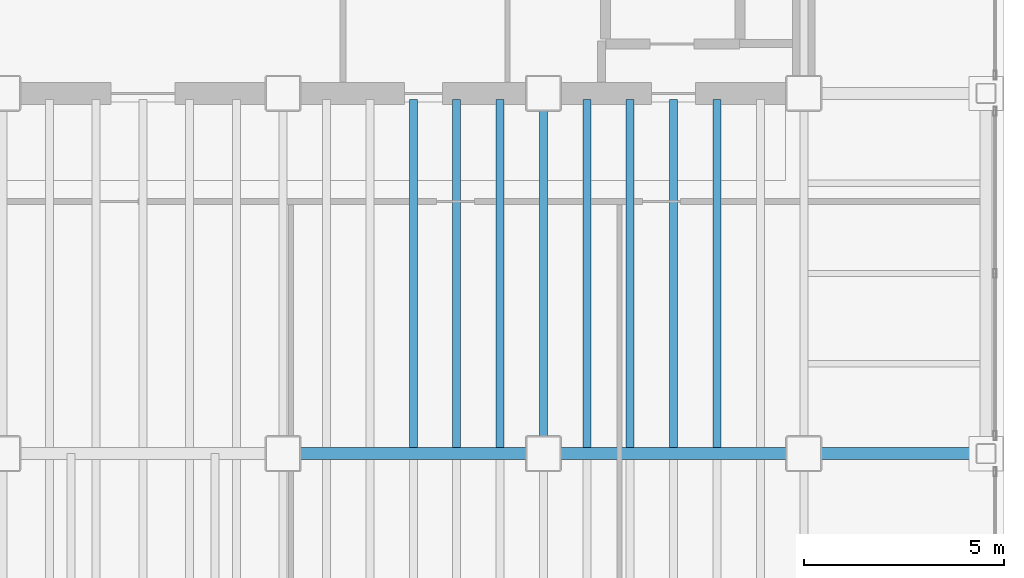
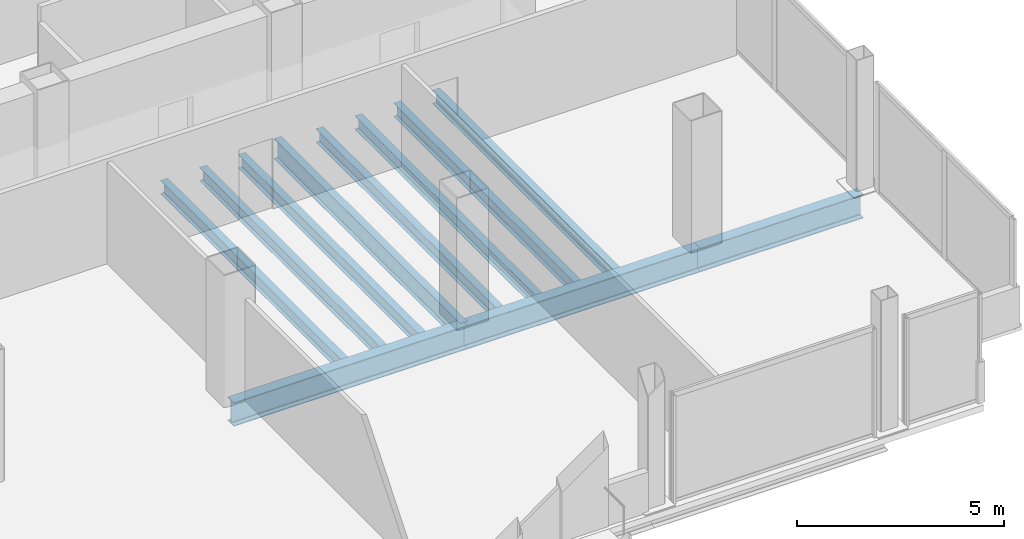
# One storey, part 14 of 20: 11 beams.
"""IFC4 building model written with IfcOpenShell, lengths in metres."""

from ifc_helpers import new_model, si_unit, direction, frame, origin, origin_2d, place, context, subcontext, project, spatial, i_section, extrude, material, material_profile, profile_set, type_object, element, save


model = new_model("IFC4")

# Units and contexts
model_context = context("Model", 3, precision=1e-05, world=origin(), true_north=direction((0.0, 1.0)))
body_context = subcontext(model_context, "Body", "Model", "MODEL_VIEW")
ifc_project = project(units=[si_unit("LENGTHUNIT", "METRE"), si_unit("AREAUNIT", "SQUARE_METRE"), si_unit("VOLUMEUNIT", "CUBIC_METRE"), si_unit("PLANEANGLEUNIT", "RADIAN"), si_unit("MASSUNIT", "GRAM", prefix="KILO")], contexts=[model_context])

# Site, building, storey
site_placement = place(None, origin())
site = spatial("IfcSite", under=ifc_project, at=site_placement, CompositionType="ELEMENT")
building_placement = place(site_placement, origin())
building = spatial("IfcBuilding", under=site, at=building_placement, Name="Noeulbin Bourse Tower", CompositionType="ELEMENT")
storey_placement = place(building_placement, frame((0.0, 0.0, 122.699951171875)))
storey = spatial("IfcBuildingStorey", under=building, at=storey_placement, Name="L30", CompositionType="ELEMENT", Elevation=122.699951171875)

# Beams
ifc_material = material(Name="Steel S355", Category="steel")
ifc_material_profile_1 = material_profile(ifc_material, i_section(OverallWidth=0.199951171875, OverallDepth=0.60009765625, WebThickness=0.010986328125, FlangeThickness=0.01708984375, FilletRadius=0.02197265625, at=origin_2d()), Name="H-600x200x11x17", Category="LoadBearing")
ifc_profile_set_1 = profile_set([ifc_material_profile_1], Name="Steel S355")
beam_type_1 = type_object("IfcBeamType", Name="BM-GRD-600", PredefinedType="USERDEFINED", material=ifc_profile_set_1)
beam_1_placement = place(storey_placement, frame((37.5, 20.0, -0.47998046875), z_axis=(0.0, 1.0, 0.0), x_axis=(-1.0, 0.0, 0.0)))
element("IfcBeam", 1, at=beam_1_placement, inside=storey, type_object=beam_type_1, Name="Tower Primary Girder NS L30-4.2", ObjectType="GIRDER", PredefinedType="USERDEFINED", context=body_context, shape_type="SweptSolid", body=[
    extrude(i_section(OverallWidth=0.199951171875, OverallDepth=0.60009765625, WebThickness=0.010986328125, FlangeThickness=0.01708984375, FilletRadius=0.02197265625, at=origin_2d()), origin(), (0.0, 0.0, 1.0), 9.0),
])
ifc_material_profile_2 = material_profile(ifc_material, i_section(OverallWidth=0.300048828125, OverallDepth=0.699951171875, WebThickness=0.012939453125, FlangeThickness=0.02392578125, FilletRadius=0.02392578125, at=origin_2d()), Name="H-700x300x13x24", Category="LoadBearing")
ifc_profile_set_2 = profile_set([ifc_material_profile_2], Name="Steel S355")
beam_type_2 = type_object("IfcBeamType", Name="BM-GRD-700", PredefinedType="USERDEFINED", material=ifc_profile_set_2)
for number, where, z_axis, x_axis, name in (
    (2, (31.0, 20.0, -0.530029296875), (1.0, 0.0, 0.0), (0.0, 1.0, 0.0), "Tower Primary Girder EW L30-1.4"),
    (3, (37.5, 20.0, -0.530029296875), (1.0, 0.0, 0.0), (0.0, 1.0, 0.0), "Tower Primary Girder EW L30-1.5"),
):
    element("IfcBeam", number, at=place(storey_placement, frame(where, z_axis=z_axis, x_axis=x_axis)), inside=storey, type_object=beam_type_2, Name=name, ObjectType="GIRDER", PredefinedType="USERDEFINED", context=body_context, shape_type="SweptSolid", body=[
        extrude(i_section(OverallWidth=0.300048828125, OverallDepth=0.699951171875, WebThickness=0.012939453125, FlangeThickness=0.02392578125, FilletRadius=0.02392578125, at=origin_2d()), origin(), (0.0, 0.0, 1.0), 6.5),
    ])
beam_2_placement = place(storey_placement, frame((44.0, 20.0, -0.530029296875), z_axis=(1.0, 0.0, 0.0), x_axis=(0.0, 1.0, 0.0)))
element("IfcBeam", 4, at=beam_2_placement, inside=storey, type_object=beam_type_2, Name="Tower Primary Girder EW L30-1.6", ObjectType="GIRDER", PredefinedType="USERDEFINED", context=body_context, shape_type="SweptSolid", body=[
    extrude(i_section(OverallWidth=0.300048828125, OverallDepth=0.699951171875, WebThickness=0.012939453125, FlangeThickness=0.02392578125, FilletRadius=0.02392578125, at=origin_2d()), origin(), (0.0, 0.0, 1.0), 4.550048828125),
])
ifc_material_profile_3 = material_profile(ifc_material, i_section(OverallWidth=0.199951171875, OverallDepth=0.39990234375, WebThickness=0.008056640625, FlangeThickness=0.012939453125, FilletRadius=0.01611328125, at=origin_2d()), Name="H-400x200x8x13", Category="LoadBearing")
ifc_profile_set_3 = profile_set([ifc_material_profile_3], Name="Steel S355")
beam_type_3 = type_object("IfcBeamType", Name="BM-SEC-400", PredefinedType="BEAM", material=ifc_profile_set_3)
for number, where, z_axis, x_axis, name in (
    (5, (34.25, 20.14990234375, -0.3798828125), (0.0, 1.0, 0.0), (-1.0, 0.0, 0.0), "Tower Composite Joist L30-32"),
    (6, (35.333251953125, 20.14990234375, -0.3798828125), (0.0, 1.0, 0.0), (-1.0, 0.0, 0.0), "Tower Composite Joist L30-34"),
    (7, (36.416748046875, 20.14990234375, -0.3798828125), (0.0, 1.0, 0.0), (-1.0, 0.0, 0.0), "Tower Composite Joist L30-36"),
    (8, (38.583251953125, 20.14990234375, -0.3798828125), (0.0, 1.0, 0.0), (-1.0, 0.0, 0.0), "Tower Composite Joist L30-38"),
    (9, (39.666748046875, 20.14990234375, -0.3798828125), (0.0, 1.0, 0.0), (-1.0, 0.0, 0.0), "Tower Composite Joist L30-40"),
    (10, (40.75, 20.14990234375, -0.3798828125), (0.0, 1.0, 0.0), (-1.0, 0.0, 0.0), "Tower Composite Joist L30-42"),
    (11, (41.833251953125, 20.14990234375, -0.3798828125), (0.0, 1.0, 0.0), (-1.0, 0.0, 0.0), "Tower Composite Joist L30-44"),
):
    element("IfcBeam", number, at=place(storey_placement, frame(where, z_axis=z_axis, x_axis=x_axis)), inside=storey, type_object=beam_type_3, Name=name, PredefinedType="BEAM", context=body_context, shape_type="SweptSolid", body=[
        extrude(i_section(OverallWidth=0.199951171875, OverallDepth=0.39990234375, WebThickness=0.008056640625, FlangeThickness=0.012939453125, FilletRadius=0.01611328125, at=origin_2d()), origin(), (0.0, 0.0, 1.0), 8.7001953125),
    ])

save(model, "model.ifc")
